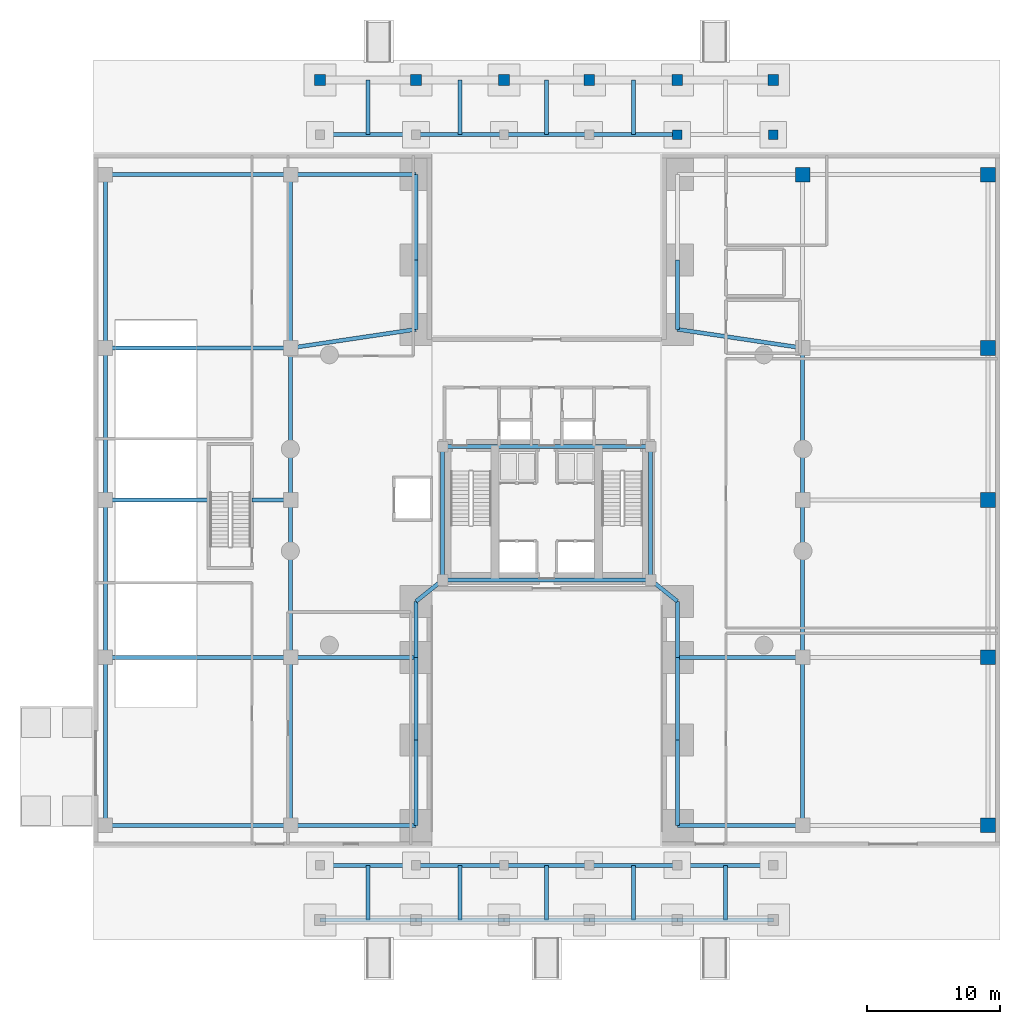
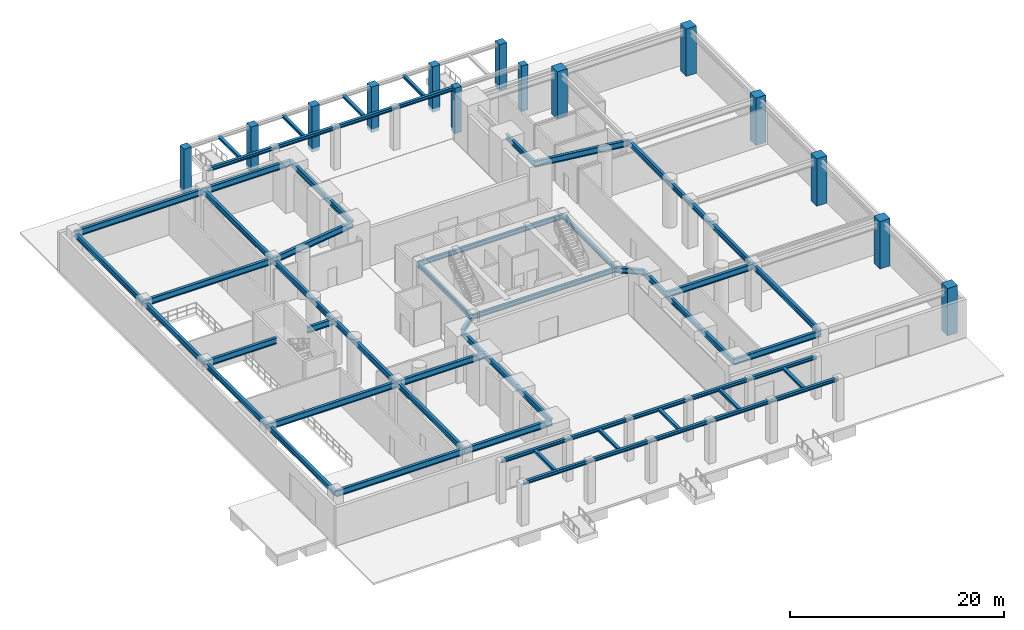
# One storey, part 2 of 11: 53 beams, 14 columns, 9 members.
"""IFC4 building model written with IfcOpenShell, lengths in metres."""

from ifc_helpers import new_model, si_unit, direction, frame, origin, origin_2d, place, context, subcontext, project, spatial, rectangle, i_section, extrude, material, material_profile, profile_set, type_object, element, save


model = new_model("IFC4")

# Units and contexts
model_context = context("Model", 3, precision=1e-05, world=origin(), true_north=direction((0.0, 1.0)))
body_context = subcontext(model_context, "Body", "Model", "MODEL_VIEW")
ifc_project = project(units=[si_unit("LENGTHUNIT", "METRE"), si_unit("AREAUNIT", "SQUARE_METRE"), si_unit("VOLUMEUNIT", "CUBIC_METRE"), si_unit("PLANEANGLEUNIT", "RADIAN"), si_unit("MASSUNIT", "GRAM", prefix="KILO"), si_unit("THERMODYNAMICTEMPERATUREUNIT", "KELVIN"), si_unit("POWERUNIT", "WATT")], contexts=[model_context])

# Site, building, storey
site_placement = place(None, origin())
site = spatial("IfcSite", under=ifc_project, at=site_placement, CompositionType="ELEMENT")
building_placement = place(site_placement, origin())
building = spatial("IfcBuilding", under=site, at=building_placement, Name="Ocrelia Relay Tower", CompositionType="ELEMENT")
storey_placement = place(building_placement, origin())
storey = spatial("IfcBuildingStorey", under=building, at=storey_placement, Name="L00", CompositionType="ELEMENT", Elevation=0.0)

# Columns
ifc_material_1 = material(Name="Concrete C70/85", Category="concrete")
ifc_material_profile_1 = material_profile(ifc_material_1, rectangle(XDim=1.10009765625, YDim=1.10009765625, at=origin_2d()), Name="RC-COL-1100x1100")
ifc_profile_set_1 = profile_set([ifc_material_profile_1], Name="Concrete C70/85")
column_type_1 = type_object("IfcColumnType", Name="COL-CC-1100", PredefinedType="COLUMN", material=ifc_profile_set_1)
for number, where, z_axis, x_axis, name in (
    (1, (53.199951171875, 50.39990234375, 0.0), (0.0, 0.0, 1.0), (1.0, 0.0, 0.0), "L00 Podium Column PC15"),
    (2, (67.10009765625, 1.60009765625, 0.0), (0.0, 0.0, 1.0), (1.0, 0.0, 0.0), "L00 Podium Column PC16"),
    (3, (67.10009765625, 14.199951171875, 0.0), (0.0, 0.0, 1.0), (1.0, 0.0, 0.0), "L00 Podium Column PC17"),
    (4, (67.10009765625, 26.0, 0.0), (0.0, 0.0, 1.0), (1.0, 0.0, 0.0), "L00 Podium Column PC18"),
    (5, (67.10009765625, 37.39990234375, 0.0), (0.0, 0.0, 1.0), (1.0, 0.0, 0.0), "L00 Podium Column PC19"),
    (6, (67.10009765625, 50.39990234375, 0.0), (0.0, 0.0, 1.0), (1.0, 0.0, 0.0), "L00 Podium Column PC20"),
):
    element("IfcColumn", number, at=place(storey_placement, frame(where, z_axis=z_axis, x_axis=x_axis)), inside=storey, type_object=column_type_1, Name=name, PredefinedType="COLUMN", context=body_context, shape_type="SweptSolid", body=[
        extrude(rectangle(XDim=1.10009765625, YDim=1.10009765625, at=origin_2d()), origin(), (0.0, 0.0, 1.0), 5.39990234375),
    ])
ifc_material_2 = material(Name="Concrete C50/60", Category="concrete")
ifc_material_profile_2 = material_profile(ifc_material_2, rectangle(XDim=0.699951171875, YDim=0.699951171875, at=origin_2d()), Name="RC-COL-700x700")
ifc_profile_set_2 = profile_set([ifc_material_profile_2], Name="Concrete C50/60")
column_type_2 = type_object("IfcColumnType", Name="COL-CC-700", PredefinedType="COLUMN", material=ifc_profile_set_2)
for number, where, z_axis, x_axis, name in (
    (7, (43.800048828125, 53.39990234375, -0.39990234375), (0.0, 0.0, 1.0), (1.0, 0.0, 0.0), "N Canopy Inner Post 5"),
    (8, (51.0, 53.39990234375, -0.39990234375), (0.0, 0.0, 1.0), (1.0, 0.0, 0.0), "N Canopy Inner Post 6"),
):
    element("IfcColumn", number, at=place(storey_placement, frame(where, z_axis=z_axis, x_axis=x_axis)), inside=storey, type_object=column_type_2, Name=name, PredefinedType="COLUMN", context=body_context, shape_type="SweptSolid", body=[
        extrude(rectangle(XDim=0.699951171875, YDim=0.699951171875, at=origin_2d()), origin(), (0.0, 0.0, 1.0), 5.199951171875),
    ])
ifc_material_profile_3 = material_profile(ifc_material_2, rectangle(XDim=0.800048828125, YDim=0.800048828125, at=origin_2d()), Name="RC-COL-800x800")
ifc_profile_set_3 = profile_set([ifc_material_profile_3], Name="Concrete C50/60")
column_type_3 = type_object("IfcColumnType", Name="COL-CC-800", PredefinedType="COLUMN", material=ifc_profile_set_3)
for number, where, z_axis, x_axis, name in (
    (9, (17.0, 57.5, -0.39990234375), (0.0, 0.0, 1.0), (1.0, 0.0, 0.0), "N Forecourt Canopy Column 1"),
    (10, (24.199951171875, 57.5, -0.39990234375), (0.0, 0.0, 1.0), (1.0, 0.0, 0.0), "N Forecourt Canopy Column 2"),
    (11, (30.800048828125, 57.5, -0.39990234375), (0.0, 0.0, 1.0), (1.0, 0.0, 0.0), "N Forecourt Canopy Column 3"),
    (12, (37.199951171875, 57.5, -0.39990234375), (0.0, 0.0, 1.0), (1.0, 0.0, 0.0), "N Forecourt Canopy Column 4"),
    (13, (43.800048828125, 57.5, -0.39990234375), (0.0, 0.0, 1.0), (1.0, 0.0, 0.0), "N Forecourt Canopy Column 5"),
    (14, (51.0, 57.5, -0.39990234375), (0.0, 0.0, 1.0), (1.0, 0.0, 0.0), "N Forecourt Canopy Column 6"),
):
    element("IfcColumn", number, at=place(storey_placement, frame(where, z_axis=z_axis, x_axis=x_axis)), inside=storey, type_object=column_type_3, Name=name, PredefinedType="COLUMN", context=body_context, shape_type="SweptSolid", body=[
        extrude(rectangle(XDim=0.800048828125, YDim=0.800048828125, at=origin_2d()), origin(), (0.0, 0.0, 1.0), 5.199951171875),
    ])

# Beams
ifc_material_3 = material(Name="Steel S355", Category="steel")
ifc_material_profile_4 = material_profile(ifc_material_3, i_section(OverallWidth=0.300048828125, OverallDepth=0.389892578125, WebThickness=0.010986328125, FlangeThickness=0.01904296875, FilletRadius=0.027099609375, at=origin_2d()), Name="HEA 400")
ifc_profile_set_4 = profile_set([ifc_material_profile_4], Name="Steel S355")
beam_type_1 = type_object("IfcBeamType", Name="BM-HEA400", PredefinedType="SPANDREL", material=ifc_profile_set_4)
for number, where, z_axis, x_axis, name in (
    (15, (17.0, -5.5, 4.60009765625), (1.0, 0.0, 0.0), (0.0, 1.0, 0.0), "S Forecourt Canopy Beam 1"),
    (16, (17.0, -1.39990234375, 4.60009765625), (1.0, 0.0, 0.0), (0.0, 1.0, 0.0), "S Canopy Header Beam 1"),
):
    element("IfcBeam", number, at=place(storey_placement, frame(where, z_axis=z_axis, x_axis=x_axis)), inside=storey, type_object=beam_type_1, Name=name, PredefinedType="SPANDREL", context=body_context, shape_type="SweptSolid", body=[
        extrude(i_section(OverallWidth=0.300048828125, OverallDepth=0.389892578125, WebThickness=0.010986328125, FlangeThickness=0.01904296875, FilletRadius=0.027099609375, at=origin_2d()), origin(), (0.0, 0.0, 1.0), 7.199951171875),
    ])
for number, where, z_axis, x_axis, name in (
    (17, (24.199951171875, -5.5, 4.60009765625), (1.0, 0.0, 0.0), (0.0, 1.0, 0.0), "S Forecourt Canopy Beam 2"),
    (18, (24.199951171875, -1.39990234375, 4.60009765625), (1.0, 0.0, 0.0), (0.0, 1.0, 0.0), "S Canopy Header Beam 2"),
):
    element("IfcBeam", number, at=place(storey_placement, frame(where, z_axis=z_axis, x_axis=x_axis)), inside=storey, type_object=beam_type_1, Name=name, PredefinedType="SPANDREL", context=body_context, shape_type="SweptSolid", body=[
        extrude(i_section(OverallWidth=0.300048828125, OverallDepth=0.389892578125, WebThickness=0.010986328125, FlangeThickness=0.01904296875, FilletRadius=0.027099609375, at=origin_2d()), origin(), (0.0, 0.0, 1.0), 6.60009765625),
    ])
for number, where, z_axis, x_axis, name in (
    (19, (30.800048828125, -5.5, 4.60009765625), (1.0, 0.0, 0.0), (0.0, 1.0, 0.0), "S Forecourt Canopy Beam 3"),
    (20, (30.800048828125, -1.39990234375, 4.60009765625), (1.0, 0.0, 0.0), (0.0, 1.0, 0.0), "S Canopy Header Beam 3"),
):
    element("IfcBeam", number, at=place(storey_placement, frame(where, z_axis=z_axis, x_axis=x_axis)), inside=storey, type_object=beam_type_1, Name=name, PredefinedType="SPANDREL", context=body_context, shape_type="SweptSolid", body=[
        extrude(i_section(OverallWidth=0.300048828125, OverallDepth=0.389892578125, WebThickness=0.010986328125, FlangeThickness=0.01904296875, FilletRadius=0.027099609375, at=origin_2d()), origin(), (0.0, 0.0, 1.0), 6.39990234375),
    ])
for number, where, z_axis, x_axis, name in (
    (21, (37.199951171875, -5.5, 4.60009765625), (1.0, 0.0, 0.0), (0.0, 1.0, 0.0), "S Forecourt Canopy Beam 4"),
    (22, (37.199951171875, -1.39990234375, 4.60009765625), (1.0, 0.0, 0.0), (0.0, 1.0, 0.0), "S Canopy Header Beam 4"),
):
    element("IfcBeam", number, at=place(storey_placement, frame(where, z_axis=z_axis, x_axis=x_axis)), inside=storey, type_object=beam_type_1, Name=name, PredefinedType="SPANDREL", context=body_context, shape_type="SweptSolid", body=[
        extrude(i_section(OverallWidth=0.300048828125, OverallDepth=0.389892578125, WebThickness=0.010986328125, FlangeThickness=0.01904296875, FilletRadius=0.027099609375, at=origin_2d()), origin(), (0.0, 0.0, 1.0), 6.60009765625),
    ])
for number, where, z_axis, x_axis, name in (
    (23, (43.800048828125, -5.5, 4.60009765625), (1.0, 0.0, 0.0), (0.0, 1.0, 0.0), "S Forecourt Canopy Beam 5"),
    (24, (43.800048828125, -1.39990234375, 4.60009765625), (1.0, 0.0, 0.0), (0.0, 1.0, 0.0), "S Canopy Header Beam 5"),
    (25, (17.0, 53.39990234375, 4.60009765625), (1.0, 0.0, 0.0), (0.0, 1.0, 0.0), "N Canopy Header Beam 1"),
):
    element("IfcBeam", number, at=place(storey_placement, frame(where, z_axis=z_axis, x_axis=x_axis)), inside=storey, type_object=beam_type_1, Name=name, PredefinedType="SPANDREL", context=body_context, shape_type="SweptSolid", body=[
        extrude(i_section(OverallWidth=0.300048828125, OverallDepth=0.389892578125, WebThickness=0.010986328125, FlangeThickness=0.01904296875, FilletRadius=0.027099609375, at=origin_2d()), origin(), (0.0, 0.0, 1.0), 7.199951171875),
    ])
beam_1_placement = place(storey_placement, frame((24.199951171875, 53.39990234375, 4.60009765625), z_axis=(1.0, 0.0, 0.0), x_axis=(0.0, 1.0, 0.0)))
element("IfcBeam", 26, at=beam_1_placement, inside=storey, type_object=beam_type_1, Name="N Canopy Header Beam 2", PredefinedType="SPANDREL", context=body_context, shape_type="SweptSolid", body=[
    extrude(i_section(OverallWidth=0.300048828125, OverallDepth=0.389892578125, WebThickness=0.010986328125, FlangeThickness=0.01904296875, FilletRadius=0.027099609375, at=origin_2d()), origin(), (0.0, 0.0, 1.0), 6.60009765625),
])
beam_2_placement = place(storey_placement, frame((30.800048828125, 53.39990234375, 4.60009765625), z_axis=(1.0, 0.0, 0.0), x_axis=(0.0, 1.0, 0.0)))
element("IfcBeam", 27, at=beam_2_placement, inside=storey, type_object=beam_type_1, Name="N Canopy Header Beam 3", PredefinedType="SPANDREL", context=body_context, shape_type="SweptSolid", body=[
    extrude(i_section(OverallWidth=0.300048828125, OverallDepth=0.389892578125, WebThickness=0.010986328125, FlangeThickness=0.01904296875, FilletRadius=0.027099609375, at=origin_2d()), origin(), (0.0, 0.0, 1.0), 6.39990234375),
])
beam_3_placement = place(storey_placement, frame((37.199951171875, 53.39990234375, 4.60009765625), z_axis=(1.0, 0.0, 0.0), x_axis=(0.0, 1.0, 0.0)))
element("IfcBeam", 28, at=beam_3_placement, inside=storey, type_object=beam_type_1, Name="N Canopy Header Beam 4", PredefinedType="SPANDREL", context=body_context, shape_type="SweptSolid", body=[
    extrude(i_section(OverallWidth=0.300048828125, OverallDepth=0.389892578125, WebThickness=0.010986328125, FlangeThickness=0.01904296875, FilletRadius=0.027099609375, at=origin_2d()), origin(), (0.0, 0.0, 1.0), 6.60009765625),
])
ifc_material_profile_5 = material_profile(ifc_material_3, i_section(OverallWidth=0.300048828125, OverallDepth=0.5, WebThickness=0.014404296875, FlangeThickness=0.028076171875, FilletRadius=0.027099609375, at=origin_2d()), Name="HEB 500")
ifc_profile_set_5 = profile_set([ifc_material_profile_5], Name="Steel S355")
beam_type_2 = type_object("IfcBeamType", Name="BM-HEB500", PredefinedType="BEAM", material=ifc_profile_set_5)
for number, where, z_axis, x_axis, name in (
    (29, (26.199951171875, 20.0, 4.830078125), (1.0, 0.0, 0.0), (0.0, 1.0, 0.0), "L00 Core Pilaster Tie Beam S"),
    (30, (26.199951171875, 30.0, 4.830078125), (1.0, 0.0, 0.0), (0.0, 1.0, 0.0), "L00 Core Pilaster Tie Beam N"),
):
    element("IfcBeam", number, at=place(storey_placement, frame(where, z_axis=z_axis, x_axis=x_axis)), inside=storey, type_object=beam_type_2, Name=name, PredefinedType="BEAM", context=body_context, shape_type="SweptSolid", body=[
        extrude(i_section(OverallWidth=0.300048828125, OverallDepth=0.5, WebThickness=0.014404296875, FlangeThickness=0.028076171875, FilletRadius=0.027099609375, at=origin_2d()), origin(), (0.0, 0.0, 1.0), 15.60009765625),
    ])
for number, where, z_axis, x_axis, name in (
    (31, (26.199951171875, 20.0, 4.830078125), (0.0, 1.0, 0.0), (-1.0, 0.0, 0.0), "L00 Core Pilaster Tie Beam W"),
    (32, (41.800048828125, 20.0, 4.830078125), (0.0, 1.0, 0.0), (-1.0, 0.0, 0.0), "L00 Core Pilaster Tie Beam E"),
):
    element("IfcBeam", number, at=place(storey_placement, frame(where, z_axis=z_axis, x_axis=x_axis)), inside=storey, type_object=beam_type_2, Name=name, PredefinedType="BEAM", context=body_context, shape_type="SweptSolid", body=[
        extrude(i_section(OverallWidth=0.300048828125, OverallDepth=0.5, WebThickness=0.014404296875, FlangeThickness=0.028076171875, FilletRadius=0.027099609375, at=origin_2d()), origin(), (0.0, 0.0, 1.0), 10.0),
    ])
ifc_material_profile_6 = material_profile(ifc_material_3, i_section(OverallWidth=0.300048828125, OverallDepth=0.60009765625, WebThickness=0.015380859375, FlangeThickness=0.030029296875, FilletRadius=0.027099609375, at=origin_2d()), Name="HEB 600")
ifc_profile_set_6 = profile_set([ifc_material_profile_6], Name="Steel S355")
beam_type_3 = type_object("IfcBeamType", Name="BM-HEB600", PredefinedType="BEAM", material=ifc_profile_set_6)
beam_4_placement = place(storey_placement, frame((0.89990234375, 1.60009765625, 4.780029296875), z_axis=(0.0, 1.0, 0.0), x_axis=(-1.0, 0.0, 0.0)))
element("IfcBeam", 33, at=beam_4_placement, inside=storey, type_object=beam_type_3, Name="L00 Podium Span Girder W-1", PredefinedType="BEAM", context=body_context, shape_type="SweptSolid", body=[
    extrude(i_section(OverallWidth=0.300048828125, OverallDepth=0.60009765625, WebThickness=0.015380859375, FlangeThickness=0.030029296875, FilletRadius=0.027099609375, at=origin_2d()), origin(), (0.0, 0.0, 1.0), 12.599853515625),
])
beam_5_placement = place(storey_placement, frame((0.89990234375, 14.199951171875, 4.780029296875), z_axis=(0.0, 1.0, 0.0), x_axis=(-1.0, 0.0, 0.0)))
element("IfcBeam", 34, at=beam_5_placement, inside=storey, type_object=beam_type_3, Name="L00 Podium Span Girder W-2", PredefinedType="BEAM", context=body_context, shape_type="SweptSolid", body=[
    extrude(i_section(OverallWidth=0.300048828125, OverallDepth=0.60009765625, WebThickness=0.015380859375, FlangeThickness=0.030029296875, FilletRadius=0.027099609375, at=origin_2d()), origin(), (0.0, 0.0, 1.0), 11.800048828125),
])
beam_6_placement = place(storey_placement, frame((0.89990234375, 26.0, 4.780029296875), z_axis=(0.0, 1.0, 0.0), x_axis=(-1.0, 0.0, 0.0)))
element("IfcBeam", 35, at=beam_6_placement, inside=storey, type_object=beam_type_3, Name="L00 Podium Span Girder W-3", PredefinedType="BEAM", context=body_context, shape_type="SweptSolid", body=[
    extrude(i_section(OverallWidth=0.300048828125, OverallDepth=0.60009765625, WebThickness=0.015380859375, FlangeThickness=0.030029296875, FilletRadius=0.027099609375, at=origin_2d()), origin(), (0.0, 0.0, 1.0), 11.39990234375),
])
beam_7_placement = place(storey_placement, frame((0.89990234375, 37.39990234375, 4.780029296875), z_axis=(0.0, 1.0, 0.0), x_axis=(-1.0, 0.0, 0.0)))
element("IfcBeam", 36, at=beam_7_placement, inside=storey, type_object=beam_type_3, Name="L00 Podium Span Girder W-4", PredefinedType="BEAM", context=body_context, shape_type="SweptSolid", body=[
    extrude(i_section(OverallWidth=0.300048828125, OverallDepth=0.60009765625, WebThickness=0.015380859375, FlangeThickness=0.030029296875, FilletRadius=0.027099609375, at=origin_2d()), origin(), (0.0, 0.0, 1.0), 13.0),
])
beam_8_placement = place(storey_placement, frame((14.800048828125, 1.60009765625, 4.780029296875), z_axis=(0.0, 1.0, 0.0), x_axis=(-1.0, 0.0, 0.0)))
element("IfcBeam", 37, at=beam_8_placement, inside=storey, type_object=beam_type_3, Name="L00 Podium Span Girder IW-1", PredefinedType="BEAM", context=body_context, shape_type="SweptSolid", body=[
    extrude(i_section(OverallWidth=0.300048828125, OverallDepth=0.60009765625, WebThickness=0.015380859375, FlangeThickness=0.030029296875, FilletRadius=0.027099609375, at=origin_2d()), origin(), (0.0, 0.0, 1.0), 12.599853515625),
])
beam_9_placement = place(storey_placement, frame((14.800048828125, 14.199951171875, 4.780029296875), z_axis=(0.0, 1.0, 0.0), x_axis=(-1.0, 0.0, 0.0)))
element("IfcBeam", 38, at=beam_9_placement, inside=storey, type_object=beam_type_3, Name="L00 Podium Span Girder IW-2", PredefinedType="BEAM", context=body_context, shape_type="SweptSolid", body=[
    extrude(i_section(OverallWidth=0.300048828125, OverallDepth=0.60009765625, WebThickness=0.015380859375, FlangeThickness=0.030029296875, FilletRadius=0.027099609375, at=origin_2d()), origin(), (0.0, 0.0, 1.0), 11.800048828125),
])
beam_10_placement = place(storey_placement, frame((14.800048828125, 26.0, 4.780029296875), z_axis=(0.0, 1.0, 0.0), x_axis=(-1.0, 0.0, 0.0)))
element("IfcBeam", 39, at=beam_10_placement, inside=storey, type_object=beam_type_3, Name="L00 Podium Span Girder IW-3", PredefinedType="BEAM", context=body_context, shape_type="SweptSolid", body=[
    extrude(i_section(OverallWidth=0.300048828125, OverallDepth=0.60009765625, WebThickness=0.015380859375, FlangeThickness=0.030029296875, FilletRadius=0.027099609375, at=origin_2d()), origin(), (0.0, 0.0, 1.0), 11.39990234375),
])
beam_11_placement = place(storey_placement, frame((14.800048828125, 37.39990234375, 4.780029296875), z_axis=(0.0, 1.0, 0.0), x_axis=(-1.0, 0.0, 0.0)))
element("IfcBeam", 40, at=beam_11_placement, inside=storey, type_object=beam_type_3, Name="L00 Podium Span Girder IW-4", PredefinedType="BEAM", context=body_context, shape_type="SweptSolid", body=[
    extrude(i_section(OverallWidth=0.300048828125, OverallDepth=0.60009765625, WebThickness=0.015380859375, FlangeThickness=0.030029296875, FilletRadius=0.027099609375, at=origin_2d()), origin(), (0.0, 0.0, 1.0), 13.0),
])
beam_12_placement = place(storey_placement, frame((53.199951171875, 1.60009765625, 4.780029296875), z_axis=(0.0, 1.0, 0.0), x_axis=(-1.0, 0.0, 0.0)))
element("IfcBeam", 41, at=beam_12_placement, inside=storey, type_object=beam_type_3, Name="L00 Podium Span Girder IE-1", PredefinedType="BEAM", context=body_context, shape_type="SweptSolid", body=[
    extrude(i_section(OverallWidth=0.300048828125, OverallDepth=0.60009765625, WebThickness=0.015380859375, FlangeThickness=0.030029296875, FilletRadius=0.027099609375, at=origin_2d()), origin(), (0.0, 0.0, 1.0), 12.599853515625),
])
beam_13_placement = place(storey_placement, frame((53.199951171875, 14.199951171875, 4.780029296875), z_axis=(0.0, 1.0, 0.0), x_axis=(-1.0, 0.0, 0.0)))
element("IfcBeam", 42, at=beam_13_placement, inside=storey, type_object=beam_type_3, Name="L00 Podium Span Girder IE-2", PredefinedType="BEAM", context=body_context, shape_type="SweptSolid", body=[
    extrude(i_section(OverallWidth=0.300048828125, OverallDepth=0.60009765625, WebThickness=0.015380859375, FlangeThickness=0.030029296875, FilletRadius=0.027099609375, at=origin_2d()), origin(), (0.0, 0.0, 1.0), 11.800048828125),
])
beam_14_placement = place(storey_placement, frame((53.199951171875, 26.0, 4.780029296875), z_axis=(0.0, 1.0, 0.0), x_axis=(-1.0, 0.0, 0.0)))
element("IfcBeam", 43, at=beam_14_placement, inside=storey, type_object=beam_type_3, Name="L00 Podium Span Girder IE-3", PredefinedType="BEAM", context=body_context, shape_type="SweptSolid", body=[
    extrude(i_section(OverallWidth=0.300048828125, OverallDepth=0.60009765625, WebThickness=0.015380859375, FlangeThickness=0.030029296875, FilletRadius=0.027099609375, at=origin_2d()), origin(), (0.0, 0.0, 1.0), 11.39990234375),
])
beam_15_placement = place(storey_placement, frame((24.199951171875, 1.60009765625, 4.780029296875), z_axis=(0.0, 1.0, 0.0), x_axis=(-1.0, 0.0, 0.0)))
element("IfcBeam", 44, at=beam_15_placement, inside=storey, type_object=beam_type_3, Name="L00 Pier Line Tie Girder AW-1", PredefinedType="BEAM", context=body_context, shape_type="SweptSolid", body=[
    extrude(i_section(OverallWidth=0.300048828125, OverallDepth=0.60009765625, WebThickness=0.015380859375, FlangeThickness=0.030029296875, FilletRadius=0.027099609375, at=origin_2d()), origin(), (0.0, 0.0, 1.0), 6.39990234375),
])
beam_16_placement = place(storey_placement, frame((24.199951171875, 8.0, 4.780029296875), z_axis=(0.0, 1.0, 0.0), x_axis=(-1.0, 0.0, 0.0)))
element("IfcBeam", 45, at=beam_16_placement, inside=storey, type_object=beam_type_3, Name="L00 Pier Line Tie Girder AW-2", PredefinedType="BEAM", context=body_context, shape_type="SweptSolid", body=[
    extrude(i_section(OverallWidth=0.300048828125, OverallDepth=0.60009765625, WebThickness=0.015380859375, FlangeThickness=0.030029296875, FilletRadius=0.027099609375, at=origin_2d()), origin(), (0.0, 0.0, 1.0), 6.199951171875),
])
beam_17_placement = place(storey_placement, frame((24.199951171875, 14.199951171875, 4.780029296875), z_axis=(0.0, 1.0, 0.0), x_axis=(-1.0, 0.0, 0.0)))
element("IfcBeam", 46, at=beam_17_placement, inside=storey, type_object=beam_type_3, Name="L00 Pier Line Tie Girder AW-3", PredefinedType="BEAM", context=body_context, shape_type="SweptSolid", body=[
    extrude(i_section(OverallWidth=0.300048828125, OverallDepth=0.60009765625, WebThickness=0.015380859375, FlangeThickness=0.030029296875, FilletRadius=0.027099609375, at=origin_2d()), origin(), (0.0, 0.0, 1.0), 4.199951171875),
])
beam_18_placement = place(storey_placement, frame((24.199951171875, 38.800048828125, 4.780029296875), z_axis=(0.0, 1.0, 0.0), x_axis=(-1.0, 0.0, 0.0)))
element("IfcBeam", 47, at=beam_18_placement, inside=storey, type_object=beam_type_3, Name="L00 Pier Line Tie Girder AW-4", PredefinedType="BEAM", context=body_context, shape_type="SweptSolid", body=[
    extrude(i_section(OverallWidth=0.300048828125, OverallDepth=0.60009765625, WebThickness=0.015380859375, FlangeThickness=0.030029296875, FilletRadius=0.027099609375, at=origin_2d()), origin(), (0.0, 0.0, 1.0), 5.199951171875),
])
beam_19_placement = place(storey_placement, frame((24.199951171875, 44.0, 4.780029296875), z_axis=(0.0, 1.0, 0.0), x_axis=(-1.0, 0.0, 0.0)))
element("IfcBeam", 48, at=beam_19_placement, inside=storey, type_object=beam_type_3, Name="L00 Pier Line Tie Girder AW-5", PredefinedType="BEAM", context=body_context, shape_type="SweptSolid", body=[
    extrude(i_section(OverallWidth=0.300048828125, OverallDepth=0.60009765625, WebThickness=0.015380859375, FlangeThickness=0.030029296875, FilletRadius=0.027099609375, at=origin_2d()), origin(), (0.0, 0.0, 1.0), 6.39990234375),
])
beam_20_placement = place(storey_placement, frame((24.199951171875, 18.39990234375, 4.780029296875), z_axis=(0.78085021034, 0.624718295724, 0.0), x_axis=(-0.624718295724, 0.78085021034, 0.0)))
element("IfcBeam", 49, at=beam_20_placement, inside=storey, type_object=beam_type_3, Name="L00 Core Pilaster Link Girder AWS", PredefinedType="BEAM", context=body_context, shape_type="SweptSolid", body=[
    extrude(i_section(OverallWidth=0.300048828125, OverallDepth=0.60009765625, WebThickness=0.015380859375, FlangeThickness=0.030029296875, FilletRadius=0.027099609375, at=origin_2d()), origin(), (0.0, 0.0, 1.0), 2.561279296875),
])
beam_21_placement = place(storey_placement, frame((43.800048828125, 1.60009765625, 4.780029296875), z_axis=(0.0, 1.0, 0.0), x_axis=(-1.0, 0.0, 0.0)))
element("IfcBeam", 50, at=beam_21_placement, inside=storey, type_object=beam_type_3, Name="L00 Pier Line Tie Girder AE-1", PredefinedType="BEAM", context=body_context, shape_type="SweptSolid", body=[
    extrude(i_section(OverallWidth=0.300048828125, OverallDepth=0.60009765625, WebThickness=0.015380859375, FlangeThickness=0.030029296875, FilletRadius=0.027099609375, at=origin_2d()), origin(), (0.0, 0.0, 1.0), 6.39990234375),
])
beam_22_placement = place(storey_placement, frame((43.800048828125, 8.0, 4.780029296875), z_axis=(0.0, 1.0, 0.0), x_axis=(-1.0, 0.0, 0.0)))
element("IfcBeam", 51, at=beam_22_placement, inside=storey, type_object=beam_type_3, Name="L00 Pier Line Tie Girder AE-2", PredefinedType="BEAM", context=body_context, shape_type="SweptSolid", body=[
    extrude(i_section(OverallWidth=0.300048828125, OverallDepth=0.60009765625, WebThickness=0.015380859375, FlangeThickness=0.030029296875, FilletRadius=0.027099609375, at=origin_2d()), origin(), (0.0, 0.0, 1.0), 6.199951171875),
])
beam_23_placement = place(storey_placement, frame((43.800048828125, 14.199951171875, 4.780029296875), z_axis=(0.0, 1.0, 0.0), x_axis=(-1.0, 0.0, 0.0)))
element("IfcBeam", 52, at=beam_23_placement, inside=storey, type_object=beam_type_3, Name="L00 Pier Line Tie Girder AE-3", PredefinedType="BEAM", context=body_context, shape_type="SweptSolid", body=[
    extrude(i_section(OverallWidth=0.300048828125, OverallDepth=0.60009765625, WebThickness=0.015380859375, FlangeThickness=0.030029296875, FilletRadius=0.027099609375, at=origin_2d()), origin(), (0.0, 0.0, 1.0), 4.199951171875),
])
beam_24_placement = place(storey_placement, frame((43.800048828125, 38.800048828125, 4.780029296875), z_axis=(0.0, 1.0, 0.0), x_axis=(-1.0, 0.0, 0.0)))
element("IfcBeam", 53, at=beam_24_placement, inside=storey, type_object=beam_type_3, Name="L00 Pier Line Tie Girder AE-4", PredefinedType="BEAM", context=body_context, shape_type="SweptSolid", body=[
    extrude(i_section(OverallWidth=0.300048828125, OverallDepth=0.60009765625, WebThickness=0.015380859375, FlangeThickness=0.030029296875, FilletRadius=0.027099609375, at=origin_2d()), origin(), (0.0, 0.0, 1.0), 5.199951171875),
])
beam_25_placement = place(storey_placement, frame((43.800048828125, 18.39990234375, 4.780029296875), z_axis=(-0.78085021034, 0.624718295724, 0.0), x_axis=(-0.624718295724, -0.78085021034, 0.0)))
element("IfcBeam", 54, at=beam_25_placement, inside=storey, type_object=beam_type_3, Name="L00 Core Pilaster Link Girder AES", PredefinedType="BEAM", context=body_context, shape_type="SweptSolid", body=[
    extrude(i_section(OverallWidth=0.300048828125, OverallDepth=0.60009765625, WebThickness=0.015380859375, FlangeThickness=0.030029296875, FilletRadius=0.027099609375, at=origin_2d()), origin(), (0.0, 0.0, 1.0), 2.561279296875),
])
ifc_material_profile_7 = material_profile(ifc_material_3, i_section(OverallWidth=0.300048828125, OverallDepth=0.699951171875, WebThickness=0.01708984375, FlangeThickness=0.031982421875, FilletRadius=0.027099609375, at=origin_2d()), Name="HEB 700")
ifc_profile_set_7 = profile_set([ifc_material_profile_7], Name="Steel S355")
beam_type_4 = type_object("IfcBeamType", Name="BM-HEB700", PredefinedType="BEAM", material=ifc_profile_set_7)
beam_26_placement = place(storey_placement, frame((0.89990234375, 1.60009765625, 4.72998046875), z_axis=(1.0, 0.0, 0.0), x_axis=(0.0, 1.0, 0.0)))
element("IfcBeam", 55, at=beam_26_placement, inside=storey, type_object=beam_type_4, Name="L00 West Outer Podium Girder S", PredefinedType="BEAM", context=body_context, shape_type="SweptSolid", body=[
    extrude(i_section(OverallWidth=0.300048828125, OverallDepth=0.699951171875, WebThickness=0.01708984375, FlangeThickness=0.031982421875, FilletRadius=0.027099609375, at=origin_2d()), origin(), (0.0, 0.0, 1.0), 13.900146484375),
])
for number, where, z_axis, x_axis, name in (
    (56, (14.800048828125, 1.60009765625, 4.72998046875), (1.0, 0.0, 0.0), (0.0, 1.0, 0.0), "L00 West Inner Podium Girder S"),
    (57, (43.800048828125, 1.60009765625, 4.72998046875), (1.0, 0.0, 0.0), (0.0, 1.0, 0.0), "L00 East Inner Podium Girder S"),
):
    element("IfcBeam", number, at=place(storey_placement, frame(where, z_axis=z_axis, x_axis=x_axis)), inside=storey, type_object=beam_type_4, Name=name, PredefinedType="BEAM", context=body_context, shape_type="SweptSolid", body=[
        extrude(i_section(OverallWidth=0.300048828125, OverallDepth=0.699951171875, WebThickness=0.01708984375, FlangeThickness=0.031982421875, FilletRadius=0.027099609375, at=origin_2d()), origin(), (0.0, 0.0, 1.0), 9.39990234375),
    ])
beam_27_placement = place(storey_placement, frame((0.89990234375, 14.199951171875, 4.72998046875), z_axis=(1.0, 0.0, 0.0), x_axis=(0.0, 1.0, 0.0)))
element("IfcBeam", 58, at=beam_27_placement, inside=storey, type_object=beam_type_4, Name="L00 West Outer Podium Girder M1", PredefinedType="BEAM", context=body_context, shape_type="SweptSolid", body=[
    extrude(i_section(OverallWidth=0.300048828125, OverallDepth=0.699951171875, WebThickness=0.01708984375, FlangeThickness=0.031982421875, FilletRadius=0.027099609375, at=origin_2d()), origin(), (0.0, 0.0, 1.0), 13.900146484375),
])
for number, where, z_axis, x_axis, name in (
    (59, (14.800048828125, 14.199951171875, 4.72998046875), (1.0, 0.0, 0.0), (0.0, 1.0, 0.0), "L00 West Inner Podium Girder M1"),
    (60, (43.800048828125, 14.199951171875, 4.72998046875), (1.0, 0.0, 0.0), (0.0, 1.0, 0.0), "L00 East Inner Podium Girder M1"),
):
    element("IfcBeam", number, at=place(storey_placement, frame(where, z_axis=z_axis, x_axis=x_axis)), inside=storey, type_object=beam_type_4, Name=name, PredefinedType="BEAM", context=body_context, shape_type="SweptSolid", body=[
        extrude(i_section(OverallWidth=0.300048828125, OverallDepth=0.699951171875, WebThickness=0.01708984375, FlangeThickness=0.031982421875, FilletRadius=0.027099609375, at=origin_2d()), origin(), (0.0, 0.0, 1.0), 9.39990234375),
    ])
beam_28_placement = place(storey_placement, frame((0.89990234375, 37.39990234375, 4.72998046875), z_axis=(1.0, 0.0, 0.0), x_axis=(0.0, 1.0, 0.0)))
element("IfcBeam", 61, at=beam_28_placement, inside=storey, type_object=beam_type_4, Name="L00 West Outer Podium Girder M2", PredefinedType="BEAM", context=body_context, shape_type="SweptSolid", body=[
    extrude(i_section(OverallWidth=0.300048828125, OverallDepth=0.699951171875, WebThickness=0.01708984375, FlangeThickness=0.031982421875, FilletRadius=0.027099609375, at=origin_2d()), origin(), (0.0, 0.0, 1.0), 13.900146484375),
])
for number, where, z_axis, x_axis, name in (
    (62, (14.800048828125, 37.39990234375, 4.72998046875), (0.989087708935, 0.14732787935, 0.0), (-0.14732787935, 0.989087708935, 0.0), "L00 West Inner Podium Girder M2"),
    (63, (43.800048828125, 38.800048828125, 4.72998046875), (0.989087708935, -0.14732787935, 0.0), (0.14732787935, 0.989087708935, 0.0), "L00 East Inner Podium Girder M2"),
):
    element("IfcBeam", number, at=place(storey_placement, frame(where, z_axis=z_axis, x_axis=x_axis)), inside=storey, type_object=beam_type_4, Name=name, PredefinedType="BEAM", context=body_context, shape_type="SweptSolid", body=[
        extrude(i_section(OverallWidth=0.300048828125, OverallDepth=0.699951171875, WebThickness=0.01708984375, FlangeThickness=0.031982421875, FilletRadius=0.027099609375, at=origin_2d()), origin(), (0.0, 0.0, 1.0), 9.503662109375),
    ])
beam_29_placement = place(storey_placement, frame((0.89990234375, 50.39990234375, 4.72998046875), z_axis=(1.0, 0.0, 0.0), x_axis=(0.0, 1.0, 0.0)))
element("IfcBeam", 64, at=beam_29_placement, inside=storey, type_object=beam_type_4, Name="L00 West Outer Podium Girder N", PredefinedType="BEAM", context=body_context, shape_type="SweptSolid", body=[
    extrude(i_section(OverallWidth=0.300048828125, OverallDepth=0.699951171875, WebThickness=0.01708984375, FlangeThickness=0.031982421875, FilletRadius=0.027099609375, at=origin_2d()), origin(), (0.0, 0.0, 1.0), 13.900146484375),
])
beam_30_placement = place(storey_placement, frame((14.800048828125, 50.39990234375, 4.72998046875), z_axis=(1.0, 0.0, 0.0), x_axis=(0.0, 1.0, 0.0)))
element("IfcBeam", 65, at=beam_30_placement, inside=storey, type_object=beam_type_4, Name="L00 West Inner Podium Girder N", PredefinedType="BEAM", context=body_context, shape_type="SweptSolid", body=[
    extrude(i_section(OverallWidth=0.300048828125, OverallDepth=0.699951171875, WebThickness=0.01708984375, FlangeThickness=0.031982421875, FilletRadius=0.027099609375, at=origin_2d()), origin(), (0.0, 0.0, 1.0), 9.39990234375),
])
beam_31_placement = place(storey_placement, frame((0.89990234375, 26.0, 4.72998046875), z_axis=(1.0, 0.0, 0.0), x_axis=(0.0, 1.0, 0.0)))
element("IfcBeam", 66, at=beam_31_placement, inside=storey, type_object=beam_type_4, Name="L00 West Mid Podium Girder Outer", PredefinedType="BEAM", context=body_context, shape_type="SweptSolid", body=[
    extrude(i_section(OverallWidth=0.300048828125, OverallDepth=0.699951171875, WebThickness=0.01708984375, FlangeThickness=0.031982421875, FilletRadius=0.027099609375, at=origin_2d()), origin(), (0.0, 0.0, 1.0), 7.752197265625),
])
beam_32_placement = place(storey_placement, frame((11.907958984375, 26.0, 4.72998046875), z_axis=(1.0, 0.0, 0.0), x_axis=(0.0, 1.0, 0.0)))
element("IfcBeam", 67, at=beam_32_placement, inside=storey, type_object=beam_type_4, Name="L00 West Mid Podium Girder Inner", PredefinedType="BEAM", context=body_context, shape_type="SweptSolid", body=[
    extrude(i_section(OverallWidth=0.300048828125, OverallDepth=0.699951171875, WebThickness=0.01708984375, FlangeThickness=0.031982421875, FilletRadius=0.027099609375, at=origin_2d()), origin(), (0.0, 0.0, 1.0), 2.89208984375),
])

# Members
ifc_material_profile_8 = material_profile(ifc_material_3, i_section(OverallWidth=0.300048828125, OverallDepth=0.31005859375, WebThickness=0.009033203125, FlangeThickness=0.015380859375, FilletRadius=0.027099609375, at=origin_2d()), Name="HEA 320")
ifc_profile_set_8 = profile_set([ifc_material_profile_8], Name="Steel S355")
member_type = type_object("IfcMemberType", Name="MB-CANOPY-PURLIN", PredefinedType="PURLIN", material=ifc_profile_set_8)
for number, where, z_axis, x_axis, name in (
    (68, (20.60009765625, -5.5, 4.60009765625), (0.0, 1.0, 0.0), (-1.0, 0.0, 0.0), "S Forecourt Canopy Purlin 1"),
    (69, (27.5, -5.5, 4.60009765625), (0.0, 1.0, 0.0), (-1.0, 0.0, 0.0), "S Forecourt Canopy Purlin 2"),
    (70, (34.0, -5.5, 4.60009765625), (0.0, 1.0, 0.0), (-1.0, 0.0, 0.0), "S Forecourt Canopy Purlin 3"),
    (71, (40.5, -5.5, 4.60009765625), (0.0, 1.0, 0.0), (-1.0, 0.0, 0.0), "S Forecourt Canopy Purlin 4"),
    (72, (47.39990234375, -5.5, 4.60009765625), (0.0, 1.0, 0.0), (-1.0, 0.0, 0.0), "S Forecourt Canopy Purlin 5"),
    (73, (20.60009765625, 53.39990234375, 4.60009765625), (0.0, 1.0, 0.0), (-1.0, 0.0, 0.0), "N Forecourt Canopy Purlin 1"),
    (74, (27.5, 53.39990234375, 4.60009765625), (0.0, 1.0, 0.0), (-1.0, 0.0, 0.0), "N Forecourt Canopy Purlin 2"),
    (75, (34.0, 53.39990234375, 4.60009765625), (0.0, 1.0, 0.0), (-1.0, 0.0, 0.0), "N Forecourt Canopy Purlin 3"),
    (76, (40.5, 53.39990234375, 4.60009765625), (0.0, 1.0, 0.0), (-1.0, 0.0, 0.0), "N Forecourt Canopy Purlin 4"),
):
    element("IfcMember", number, at=place(storey_placement, frame(where, z_axis=z_axis, x_axis=x_axis)), inside=storey, type_object=member_type, Name=name, PredefinedType="PURLIN", context=body_context, shape_type="SweptSolid", body=[
        extrude(i_section(OverallWidth=0.300048828125, OverallDepth=0.31005859375, WebThickness=0.009033203125, FlangeThickness=0.015380859375, FilletRadius=0.027099609375, at=origin_2d()), origin(), (0.0, 0.0, 1.0), 4.10009765625),
    ])

save(model, "model.ifc")
